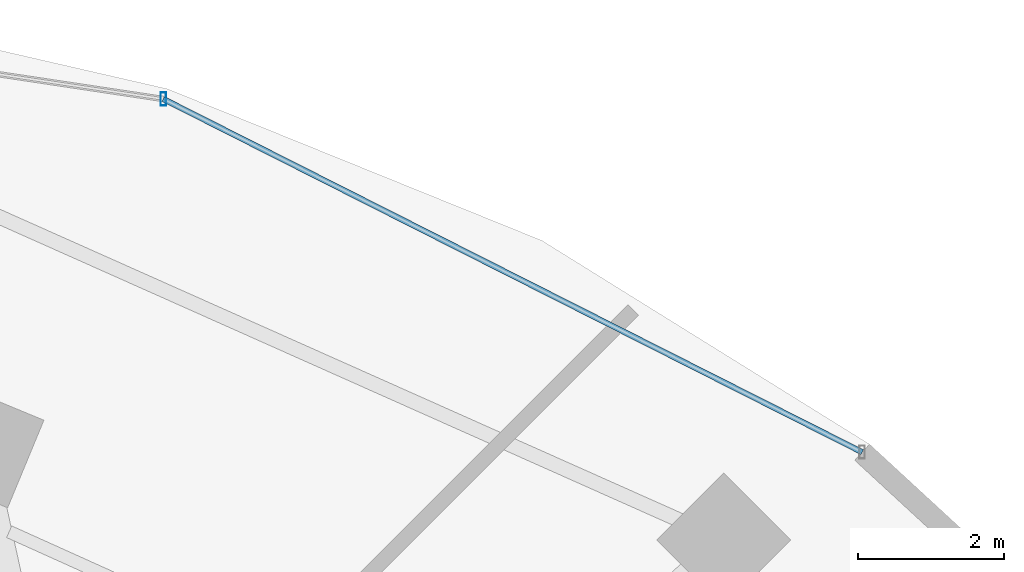
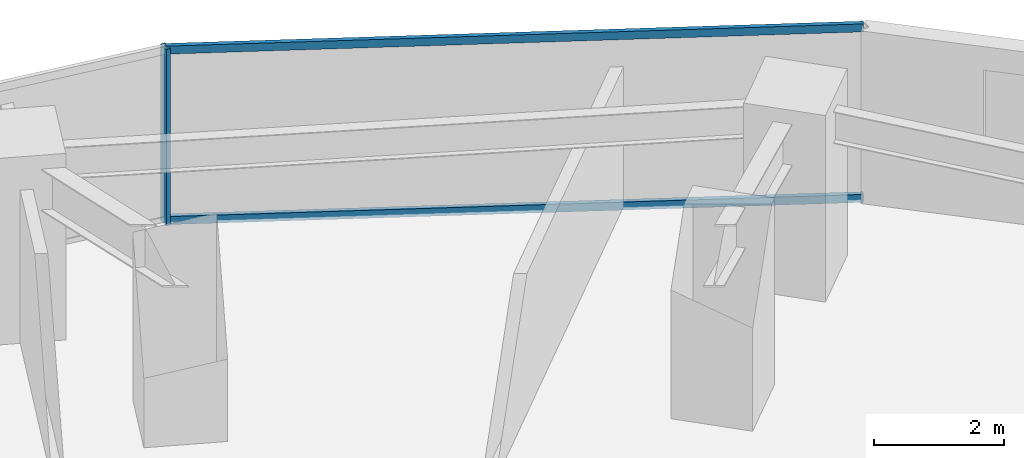
# One storey, part 23 of 34: 3 members, 1 element without a shape of its own.
"""IFC4 building model written with IfcOpenShell, lengths in metres."""

from ifc_helpers import new_model, si_unit, direction, frame, origin, origin_2d, place, context, subcontext, project, spatial, hollow_rectangle, extrude, material, material_profile, profile_set, type_object, element, aggregate, save


model = new_model("IFC4")

# Units and contexts
model_context = context("Model", 3, precision=1e-05, world=origin(), true_north=direction((0.0, 1.0)))
body_context = subcontext(model_context, "Body", "Model", "MODEL_VIEW")
ifc_project = project(units=[si_unit("LENGTHUNIT", "METRE"), si_unit("AREAUNIT", "SQUARE_METRE"), si_unit("VOLUMEUNIT", "CUBIC_METRE"), si_unit("PLANEANGLEUNIT", "RADIAN"), si_unit("MASSUNIT", "GRAM", prefix="KILO")], contexts=[model_context])

# Site, building, storey
site_placement = place(None, origin())
site = spatial("IfcSite", under=ifc_project, at=site_placement, CompositionType="ELEMENT")
building_placement = place(site_placement, origin())
building = spatial("IfcBuilding", under=site, at=building_placement, Name="Vorneva Point Tower", CompositionType="ELEMENT")
storey_placement = place(building_placement, frame((0.0, 0.0, 27.5)))
storey = spatial("IfcBuildingStorey", under=building, at=storey_placement, Name="L06", CompositionType="ELEMENT", Elevation=27.5)

# Curtain wall, members
ifc_material = material(Name="Pale anodised aluminium", Category="aluminium")
curtain_wall_type = type_object("IfcCurtainWallType", Name="CW-HTL-SYS", PredefinedType="NOTDEFINED", material=ifc_material)
curtain_wall_placement = place(storey_placement, origin())
curtain_wall = element("IfcCurtainWall", 1, at=curtain_wall_placement, inside=storey, type_object=curtain_wall_type, Name="L06 Unitised Curtain Wall CW-L06-R02", PredefinedType="NOTDEFINED")
ifc_material_profile_1 = material_profile(ifc_material, hollow_rectangle(XDim=0.074951171875, YDim=0.179931640625, WallThickness=0.00390625, at=origin_2d()), Name="AL-MUL 180x75x4")
ifc_profile_set_1 = profile_set([ifc_material_profile_1], Name="Pale anodised aluminium")
member_type_1 = type_object("IfcMemberType", Name="CW-MUL-180", PredefinedType="MULLION", material=ifc_profile_set_1)
member_1_placement = place(storey_placement, frame((49.308349609375, 46.648681640625, -0.0400390625), z_axis=(0.0, 0.0, 1.0), x_axis=(1.0, 0.0, 0.0)))
member_1 = element("IfcMember", 2, at=member_1_placement, type_object=member_type_1, Name="CW-L06-R02 Mullion 02", PredefinedType="MULLION", context=body_context, shape_type="SweptSolid", body=[
    extrude(hollow_rectangle(XDim=0.074951171875, YDim=0.179931640625, WallThickness=0.00390625, at=origin_2d()), origin(), (0.0, 0.0, 1.0), 3.31005859375),
])
ifc_material_profile_2 = material_profile(ifc_material, hollow_rectangle(XDim=0.074951171875, YDim=0.14990234375, WallThickness=0.00390625, at=origin_2d()), Name="AL-TRN 150x75x4")
ifc_profile_set_2 = profile_set([ifc_material_profile_2], Name="Pale anodised aluminium")
member_type_2 = type_object("IfcMemberType", Name="CW-TRN-150", PredefinedType="USERDEFINED", material=ifc_profile_set_2)
member_2_placement = place(storey_placement, frame((58.89501953125, 41.8037109375, 0.02001953125), z_axis=(-0.892496057621, 0.451055192999, 0.0), x_axis=(-0.451055192999, -0.892496057621, 0.0)))
member_2 = element("IfcMember", 3, at=member_2_placement, type_object=member_type_2, Name="CW-L06-R02 Transom 01.1", ObjectType="TRANSOM", PredefinedType="USERDEFINED", context=body_context, shape_type="SweptSolid", body=[
    extrude(hollow_rectangle(XDim=0.074951171875, YDim=0.14990234375, WallThickness=0.00390625, at=origin_2d()), origin(), (0.0, 0.0, 1.0), 10.741455078125),
])
member_3_placement = place(storey_placement, frame((58.89501953125, 41.8037109375, 3.219970703125), z_axis=(-0.892496057621, 0.451055192999, 0.0), x_axis=(-0.451055192999, -0.892496057621, 0.0)))
member_3 = element("IfcMember", 4, at=member_3_placement, type_object=member_type_2, Name="CW-L06-R02 Transom 01.2", ObjectType="TRANSOM", PredefinedType="USERDEFINED", context=body_context, shape_type="SweptSolid", body=[
    extrude(hollow_rectangle(XDim=0.074951171875, YDim=0.14990234375, WallThickness=0.00390625, at=origin_2d()), origin(), (0.0, 0.0, 1.0), 10.741455078125),
])
aggregate(curtain_wall, [member_1, member_2, member_3])

save(model, "model.ifc")
